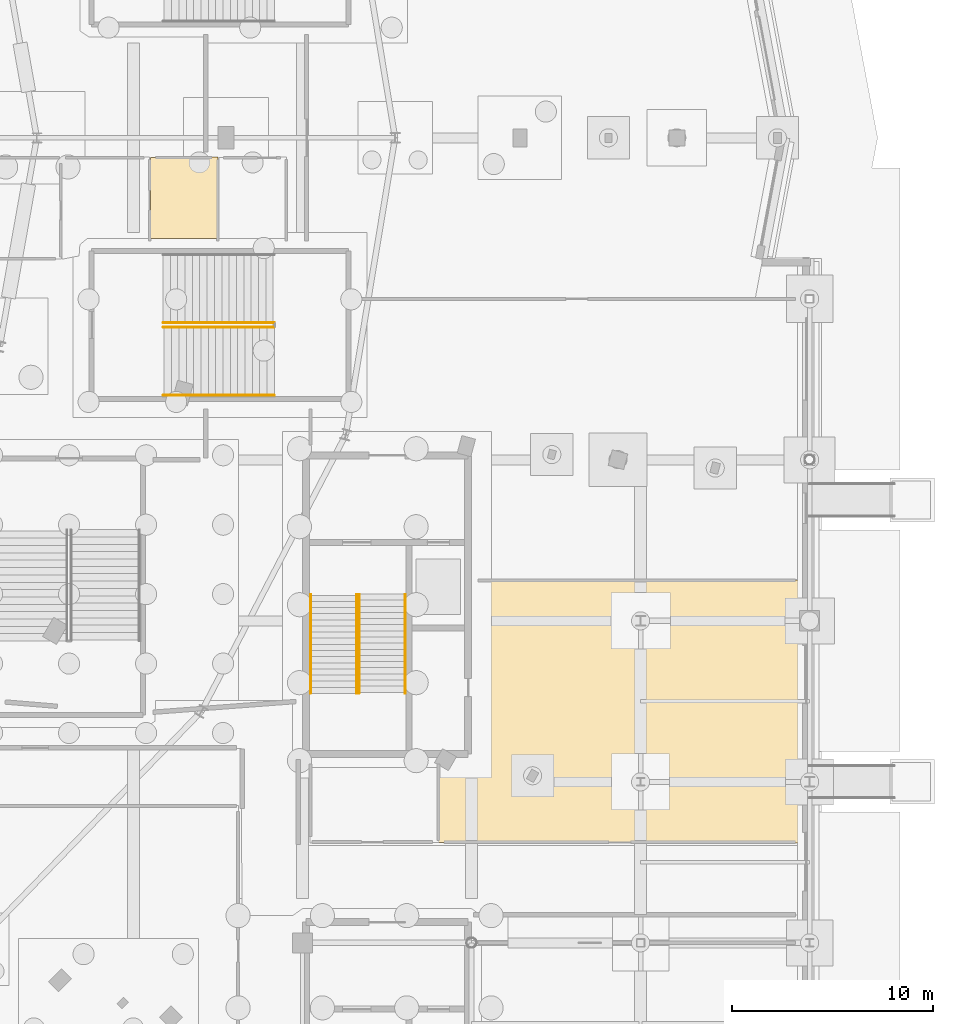
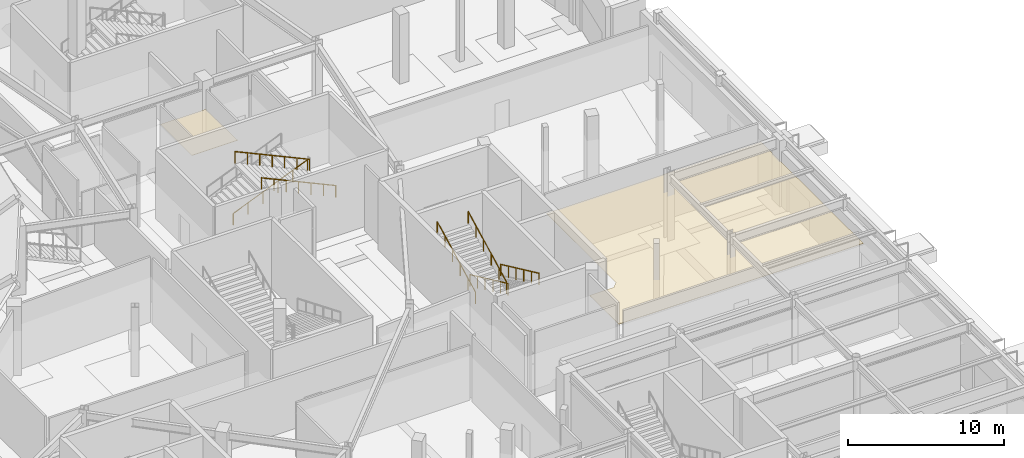
# One storey, part 86 of 93: 7 railings, 2 coverings.
"""IFC4 building model written with IfcOpenShell, lengths in metres."""

import ifcopenshell
import ifcopenshell.guid

model = None  # the IFC model being written
_history = None  # IfcOwnerHistory: only IFC2X3 demands one
_inside = {}  # id of a spatial element -> (the spatial element, [elements in it])
_under = {}  # id of a project, library or spatial element -> (it, [spatial elements below it])
_declared = {}  # id of a project -> (the project, [libraries it declares])
_typed = {}  # id of a type object -> (the type object, [elements of that type])
_made_of = {}  # id of a material, layer set ... -> (it, [elements and type objects made of it])


def new_model(schema):
    """Start an empty IFC model of exactly this schema.

    Asked for "IFC4X3", IfcOpenShell would pick the latest addendum, in which some entities
    have other attributes; the version numbers below select the first issue.
    IFC2X3 requires an IfcOwnerHistory on every rooted entity: one is made here for all.
    """
    global model, _history
    if schema == "IFC4X3":
        model = ifcopenshell.file(schema_version=(4, 3, 0, 0))
    else:
        model = ifcopenshell.file(schema=schema)
    _inside.clear()
    _under.clear()
    _declared.clear()
    _typed.clear()
    _made_of.clear()
    _history = None
    if model.schema == "IFC2X3":
        org = make("IfcOrganization", Name="unknown")
        user = make(
            "IfcPersonAndOrganization",
            ThePerson=make("IfcPerson", FamilyName="unknown"),
            TheOrganization=org,
        )
        app = make(
            "IfcApplication",
            ApplicationDeveloper=org,
            Version="unknown",
            ApplicationFullName="unknown",
            ApplicationIdentifier="unknown",
        )
        _history = make(
            "IfcOwnerHistory",
            OwningUser=user,
            OwningApplication=app,
            ChangeAction="ADDED",
            CreationDate=0,
        )
    return model


def make(cls, **values):
    """One entity of the class cls with the attributes given. An attribute that is None is left unset."""
    return model.create_entity(
        cls, **{name: value for name, value in values.items() if value is not None}
    )


def rooted(cls, **values):
    """An entity with a GlobalId (a new one), such as an element, a storey or a relation."""
    return make(cls, GlobalId=ifcopenshell.guid.new(), OwnerHistory=_history, **values)


def si_unit(unit_type, name, prefix=None):
    """IfcSIUnit, for example si_unit("LENGTHUNIT", "METRE", prefix="MILLI")."""
    return make("IfcSIUnit", UnitType=unit_type, Prefix=prefix, Name=name)


def assignment(units):
    """IfcUnitAssignment: the units of a project."""
    return None if units is None else make("IfcUnitAssignment", Units=units)


def point(xyz):
    """IfcCartesianPoint."""
    return None if xyz is None else make("IfcCartesianPoint", Coordinates=xyz)


def direction(xyz):
    """IfcDirection."""
    return None if xyz is None else make("IfcDirection", DirectionRatios=xyz)


def frame(location, z_axis=None, x_axis=None):
    """IfcAxis2Placement3D, a coordinate frame: its origin and axes. An axis left out is left unset."""
    return make(
        "IfcAxis2Placement3D",
        Location=point(location),
        Axis=direction(z_axis),
        RefDirection=direction(x_axis),
    )


def frame_2d(location, x_axis=None):
    """IfcAxis2Placement2D, a coordinate frame in the plane: its origin and x axis."""
    return make(
        "IfcAxis2Placement2D", Location=point(location), RefDirection=direction(x_axis)
    )


def origin():
    """The frame at (0, 0, 0) with its axes left unset."""
    return frame((0.0, 0.0, 0.0))


def origin_2d():
    """The frame at (0, 0) in the plane with its x axis left unset."""
    return frame_2d((0.0, 0.0))


def place(relative_to, where):
    """IfcLocalPlacement: puts the frame where relative to a parent placement (None: the world)."""
    return make(
        "IfcLocalPlacement", PlacementRelTo=relative_to, RelativePlacement=where
    )


def context(
    kind, dimensions, precision=None, world=None, true_north=None, identifier=None
):
    """IfcGeometricRepresentationContext, for example the 3D "Model" context."""
    return make(
        "IfcGeometricRepresentationContext",
        ContextIdentifier=identifier,
        ContextType=kind,
        CoordinateSpaceDimension=dimensions,
        Precision=precision,
        WorldCoordinateSystem=world,
        TrueNorth=true_north,
    )


def subcontext(parent, identifier, kind, view, scale=None):
    """IfcGeometricRepresentationSubContext, for example "Body" below "Model"."""
    return make(
        "IfcGeometricRepresentationSubContext",
        ContextIdentifier=identifier,
        ContextType=kind,
        ParentContext=parent,
        TargetScale=scale,
        TargetView=view,
    )


def project(units=None, contexts=None):
    """IfcProject with its units and contexts."""
    return rooted(
        "IfcProject",
        Name="project",
        RepresentationContexts=contexts,
        UnitsInContext=assignment(units),
    )


def spatial(cls, under=None, at=None, **own):
    """A site, building, storey or space (cls), placed at a placement, below another one or the project."""
    s = rooted(cls, ObjectPlacement=at, **own)
    if under is not None:
        _under.setdefault(under.id(), (under, []))[1].append(s)
    return s


def polyline(points):
    """IfcPolyline through the points."""
    return make("IfcPolyline", Points=[point(p) for p in points])


def profile(cls, at=None, kind="AREA", **sizes):
    """A parametric profile (cls). Its sizes go by their IFC names, for example OverallWidth=200.0."""
    return make(cls, ProfileType=kind, Position=at, **sizes)


def circle(**sizes):
    """IfcCircleProfileDef."""
    return profile("IfcCircleProfileDef", **sizes)


def outline(outer, holes=None, kind="AREA"):
    """IfcArbitraryClosedProfileDef: a profile drawn as a closed curve; with holes, ...WithVoids."""
    if holes is None:
        return make("IfcArbitraryClosedProfileDef", ProfileType=kind, OuterCurve=outer)
    return make(
        "IfcArbitraryProfileDefWithVoids",
        ProfileType=kind,
        OuterCurve=outer,
        InnerCurves=holes,
    )


def extrude(swept, where, along, depth):
    """IfcExtrudedAreaSolid: the profile swept, set in the frame where, extruded along a direction by depth."""
    return make(
        "IfcExtrudedAreaSolid",
        SweptArea=swept,
        Position=where,
        ExtrudedDirection=direction(along),
        Depth=depth,
    )


def shape(context_of_items, identifier, shape_type, items):
    """IfcShapeRepresentation: the items that make up one representation, for example the "Body"."""
    return make(
        "IfcShapeRepresentation",
        ContextOfItems=context_of_items,
        RepresentationIdentifier=identifier,
        RepresentationType=shape_type,
        Items=items,
    )


def material(Name=None, Category=None):
    """IfcMaterial."""
    return make("IfcMaterial", Name=Name, Category=Category)


def layer(
    of_material, thickness, ventilated=None, Name=None, Category=None, Priority=None
):
    """IfcMaterialLayer: one layer of a wall or slab, of a material (None: an air gap)."""
    return make(
        "IfcMaterialLayer",
        Material=of_material,
        LayerThickness=thickness,
        IsVentilated=ventilated,
        Name=Name,
        Category=Category,
        Priority=Priority,
    )


def layer_set(layers, Name=None):
    """IfcMaterialLayerSet."""
    return make("IfcMaterialLayerSet", MaterialLayers=layers, LayerSetName=Name)


def made_of(thing, what):
    """Note that an element or type object is made of a material, layer set ...; save() writes the relation."""
    if what is not None:
        _made_of.setdefault(what.id(), (what, []))[1].append(thing)
    return thing


def type_object(cls, material=None, **own):
    """A type object (cls), such as IfcWallType, which elements share."""
    return made_of(rooted(cls, **own), material)


def element(
    cls,
    number,
    at=None,
    inside=None,
    cuts=None,
    type_object=None,
    material=None,
    context=None,
    identifier="Body",
    shape_type=None,
    held_by="IfcProductDefinitionShape",
    body=None,
    shapes=None,
    **own,
):
    """One element of the class cls, such as IfcWall. Its Tag is "e" and its number.

    at: its placement. inside: the storey or other place that contains it. cuts: it is an
    opening in that element (IfcRelVoidsElement). A single representation is given by context,
    identifier, shape_type and body (its items); several are given by shapes. held_by: the class
    of the entity that holds the representations. save() writes the other relations.
    """
    e = rooted(cls, Tag="e%d" % number, ObjectPlacement=at, **own)
    if body is not None:
        shapes = [shape(context, identifier, shape_type, body)]
    if shapes is not None:
        e.Representation = make(held_by, Representations=shapes)
    if inside is not None:
        _inside.setdefault(inside.id(), (inside, []))[1].append(e)
    if cuts is not None:
        rooted(
            "IfcRelVoidsElement", RelatingBuildingElement=cuts, RelatedOpeningElement=e
        )
    if type_object is not None:
        _typed.setdefault(type_object.id(), (type_object, []))[1].append(e)
    return made_of(e, material)


def aggregate(whole, parts):
    """IfcRelAggregates: a whole, such as a stair, and the parts it consists of."""
    return rooted("IfcRelAggregates", RelatingObject=whole, RelatedObjects=parts)


def save(model, path):
    """Write the relations noted so far, then the file.

    IfcRelAggregates (storeys below a building ...), IfcRelContainedInSpatialStructure (elements
    in a storey), IfcRelDefinesByType, IfcRelAssociatesMaterial and IfcRelDeclares: one each for
    every whole, place, type object, material and project.
    """
    for whole, parts in _under.values():
        aggregate(whole, parts)
    for where, things in _inside.values():
        rooted(
            "IfcRelContainedInSpatialStructure",
            RelatedElements=things,
            RelatingStructure=where,
        )
    for kind, things in _typed.values():
        rooted("IfcRelDefinesByType", RelatedObjects=things, RelatingType=kind)
    for what, things in _made_of.values():
        rooted("IfcRelAssociatesMaterial", RelatedObjects=things, RelatingMaterial=what)
    for by, libraries in _declared.values():
        rooted("IfcRelDeclares", RelatingContext=by, RelatedDefinitions=libraries)
    model.write(path)


model = new_model("IFC4")

# Units and contexts
model_context = context("Model", 3, precision=1e-05, world=origin(), true_north=direction((0.0, 1.0)))
body_context = subcontext(model_context, "Body", "Model", "MODEL_VIEW")
ifc_project = project(units=[si_unit("LENGTHUNIT", "METRE"), si_unit("AREAUNIT", "SQUARE_METRE"), si_unit("VOLUMEUNIT", "CUBIC_METRE"), si_unit("PLANEANGLEUNIT", "RADIAN"), si_unit("MASSUNIT", "GRAM", prefix="KILO")], contexts=[model_context])

# Site, building, storey
site_placement = place(None, origin())
site = spatial("IfcSite", under=ifc_project, at=site_placement, CompositionType="ELEMENT")
building_placement = place(site_placement, origin())
building = spatial("IfcBuilding", under=site, at=building_placement, Name="Kalgoora Escarpment Arena", CompositionType="ELEMENT")
storey_placement = place(building_placement, origin())
storey = spatial("IfcBuildingStorey", under=building, at=storey_placement, Name="L00", CompositionType="ELEMENT", Elevation=0.0)

# Coverings
ifc_material_1 = material(Name="Perforated acoustic mineral-fibre ceiling tile")
ifc_layer = layer(ifc_material_1, 0.02490234375)
ifc_layer_set = layer_set([ifc_layer], Name="COV-CEIL-ACOUSTIC")
covering_type = type_object("IfcCoveringType", Name="COV-CEIL-ACOUSTIC", PredefinedType="CEILING", material=ifc_layer_set)
covering_1_placement = place(storey_placement, frame((0.0, 0.0, 3.47998046875)))
element("IfcCovering", 1, at=covering_1_placement, inside=storey, type_object=covering_type, Name="L00 Accessible WC 2 acoustic suspended ceiling", PredefinedType="CEILING", context=body_context, shape_type="SweptSolid", body=[
    extrude(outline(polyline([(155.40771484375, 63.039306640625), (155.43994140625, 59.0), (152.0400390625, 59.0), (152.049072265625, 63.025390625), (155.40771484375, 63.039306640625)])), origin(), (0.0, 0.0, 1.0), 0.02490234375),
])
covering_2_placement = place(storey_placement, frame((0.0, 0.0, 3.47998046875)))
element("IfcCovering", 2, at=covering_2_placement, inside=storey, type_object=covering_type, Name="L00 Strength Conditioning Gym 2 acoustic suspended ceiling", PredefinedType="CEILING", context=body_context, shape_type="SweptSolid", body=[
    extrude(outline(polyline([(184.40380859375, 42.039794921875), (184.422119140625, 28.966796875), (166.316650390625, 28.977783203125), (166.31005859375, 32.699951171875), (168.097412109375, 32.709716796875), (168.490478515625, 33.1025390625), (168.5, 42.0400390625), (184.40380859375, 42.039794921875)])), origin(), (0.0, 0.0, 1.0), 0.02490234375),
])

# Railings
ifc_material_2 = material(Name="Brushed stainless steel 316 handrail", Category="steel")
railing_type = type_object("IfcRailingType", Name="RAL-HAND-920", PredefinedType="HANDRAIL", material=ifc_material_2)
for number, where, name in (
    (3, (164.699951171875, 41.31005859375, 0.37890625), "ST07 L00 pitched stair handrail F1L"),
    (4, (162.409912109375, 41.31005859375, 0.37890625), "ST07 L00 pitched stair handrail F1R"),
):
    element("IfcRailing", number, at=place(storey_placement, frame(where)), inside=storey, type_object=railing_type, Name=name, PredefinedType="HANDRAIL", context=body_context, shape_type="SweptSolid", body=[
        extrude(circle(Radius=0.02392578125, at=origin_2d()), frame((0.0, 0.0, 0.89599609375), z_axis=(0.0, -0.906917908097, 0.421307379443), x_axis=(1.0, 0.0, 0.0)), (0.0, 0.0, 1.0), 5.4140625),
        extrude(circle(Radius=0.02099609375, at=origin_2d()), origin(), (0.0, 0.0, 1.0), 0.871826171875),
        extrude(circle(Radius=0.02099609375, at=origin_2d()), frame((0.0, -0.98193359375, 0.456298828125)), (0.0, 0.0, 1.0), 0.871826171875),
        extrude(circle(Radius=0.02099609375, at=origin_2d()), frame((0.0, -1.964111328125, 0.912353515625)), (0.0, 0.0, 1.0), 0.871826171875),
        extrude(circle(Radius=0.02099609375, at=origin_2d()), frame((0.0, -2.946044921875, 1.36865234375)), (0.0, 0.0, 1.0), 0.871826171875),
        extrude(circle(Radius=0.02099609375, at=origin_2d()), frame((0.0, -3.92822265625, 1.82470703125)), (0.0, 0.0, 1.0), 0.871826171875),
        extrude(circle(Radius=0.02099609375, at=origin_2d()), frame((0.0, -4.91015625, 2.281005859375)), (0.0, 0.0, 1.0), 0.871826171875),
    ])
for number, where, name in (
    (5, (162.2900390625, 36.39990234375, 2.81884765625), "ST07 L00 pitched stair handrail F2L"),
    (6, (160.0, 36.39990234375, 2.81884765625), "ST07 L00 pitched stair handrail F2R"),
):
    element("IfcRailing", number, at=place(storey_placement, frame(where)), inside=storey, type_object=railing_type, Name=name, PredefinedType="HANDRAIL", context=body_context, shape_type="SweptSolid", body=[
        extrude(circle(Radius=0.02392578125, at=origin_2d()), frame((0.0, 0.0, 0.89599609375), z_axis=(0.0, 0.88810515041, 0.459640339629), x_axis=(-1.0, 0.0, 0.0)), (0.0, 0.0, 1.0), 5.52880859375),
        extrude(circle(Radius=0.02099609375, at=origin_2d()), origin(), (0.0, 0.0, 1.0), 0.871826171875),
        extrude(circle(Radius=0.02099609375, at=origin_2d()), frame((0.0, 0.98193359375, 0.50830078125)), (0.0, 0.0, 1.0), 0.871826171875),
        extrude(circle(Radius=0.02099609375, at=origin_2d()), frame((0.0, 1.964111328125, 1.0166015625)), (0.0, 0.0, 1.0), 0.871826171875),
        extrude(circle(Radius=0.02099609375, at=origin_2d()), frame((0.0, 2.946044921875, 1.524658203125)), (0.0, 0.0, 1.0), 0.871826171875),
        extrude(circle(Radius=0.02099609375, at=origin_2d()), frame((0.0, 3.92822265625, 2.032958984375)), (0.0, 0.0, 1.0), 0.871826171875),
        extrude(circle(Radius=0.02099609375, at=origin_2d()), frame((0.0, 4.91015625, 2.541259765625)), (0.0, 0.0, 1.0), 0.871826171875),
    ])
railing_placement = place(storey_placement, frame((152.68994140625, 54.81005859375, 0.388916015625)))
element("IfcRailing", 7, at=railing_placement, inside=storey, type_object=railing_type, Name="ST22 L00 pitched stair handrail F1R", PredefinedType="HANDRAIL", context=body_context, shape_type="SweptSolid", body=[
    extrude(circle(Radius=0.02392578125, at=origin_2d()), frame((0.0, 0.0, 0.89599609375), z_axis=(0.924430832969, 0.0, 0.381349754236), x_axis=(0.0, 1.0, 0.0)), (0.0, 0.0, 1.0), 5.955078125),
    extrude(circle(Radius=0.02099609375, at=origin_2d()), origin(), (0.0, 0.0, 1.0), 0.871826171875),
    extrude(circle(Radius=0.02099609375, at=origin_2d()), frame((1.10107421875, 0.0, 0.4541015625)), (0.0, 0.0, 1.0), 0.871826171875),
    extrude(circle(Radius=0.02099609375, at=origin_2d()), frame((2.2021484375, 0.0, 0.908447265625)), (0.0, 0.0, 1.0), 0.871826171875),
    extrude(circle(Radius=0.02099609375, at=origin_2d()), frame((3.302978515625, 0.0, 1.362548828125)), (0.0, 0.0, 1.0), 0.871826171875),
    extrude(circle(Radius=0.02099609375, at=origin_2d()), frame((4.404052734375, 0.0, 1.81689453125)), (0.0, 0.0, 1.0), 0.871826171875),
    extrude(circle(Radius=0.02099609375, at=origin_2d()), frame((5.505126953125, 0.0, 2.27099609375)), (0.0, 0.0, 1.0), 0.871826171875),
])
for number, where, name in (
    (8, (158.195068359375, 54.590087890625, 2.828857421875), "ST22 L00 pitched stair handrail F2L"),
    (9, (158.195068359375, 51.199951171875, 2.828857421875), "ST22 L00 pitched stair handrail F2R"),
):
    element("IfcRailing", number, at=place(storey_placement, frame(where)), inside=storey, type_object=railing_type, Name=name, PredefinedType="HANDRAIL", context=body_context, shape_type="SweptSolid", body=[
        extrude(circle(Radius=0.02392578125, at=origin_2d()), frame((0.0, 0.0, 0.89599609375), z_axis=(-0.908559891483, 0.0, 0.417754621265), x_axis=(0.0, -1.0, 0.0)), (0.0, 0.0, 1.0), 6.05908203125),
        extrude(circle(Radius=0.02099609375, at=origin_2d()), origin(), (0.0, 0.0, 1.0), 0.871826171875),
        extrude(circle(Radius=0.02099609375, at=origin_2d()), frame((-0.91748046875, 0.0, 0.421875)), (0.0, 0.0, 1.0), 0.871826171875),
        extrude(circle(Radius=0.02099609375, at=origin_2d()), frame((-1.8349609375, 0.0, 0.84375)), (0.0, 0.0, 1.0), 0.871826171875),
        extrude(circle(Radius=0.02099609375, at=origin_2d()), frame((-2.75244140625, 0.0, 1.265625)), (0.0, 0.0, 1.0), 0.871826171875),
        extrude(circle(Radius=0.02099609375, at=origin_2d()), frame((-3.670166015625, 0.0, 1.6875)), (0.0, 0.0, 1.0), 0.871826171875),
        extrude(circle(Radius=0.02099609375, at=origin_2d()), frame((-4.587646484375, 0.0, 2.109375)), (0.0, 0.0, 1.0), 0.871826171875),
        extrude(circle(Radius=0.02099609375, at=origin_2d()), frame((-5.505126953125, 0.0, 2.53125)), (0.0, 0.0, 1.0), 0.871826171875),
    ])

save(model, "model.ifc")
